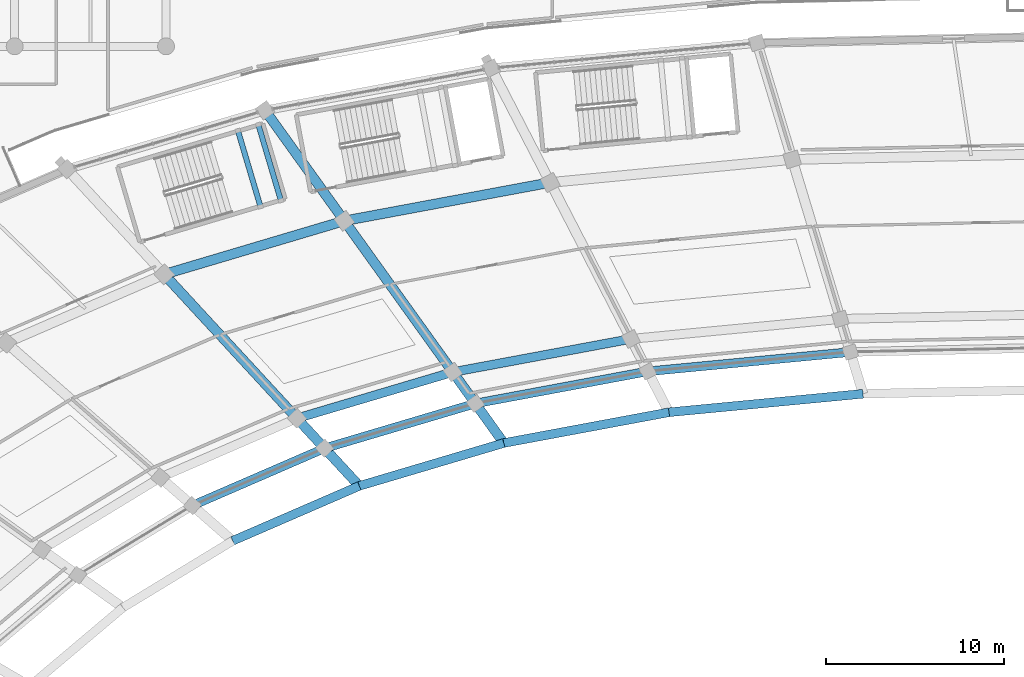
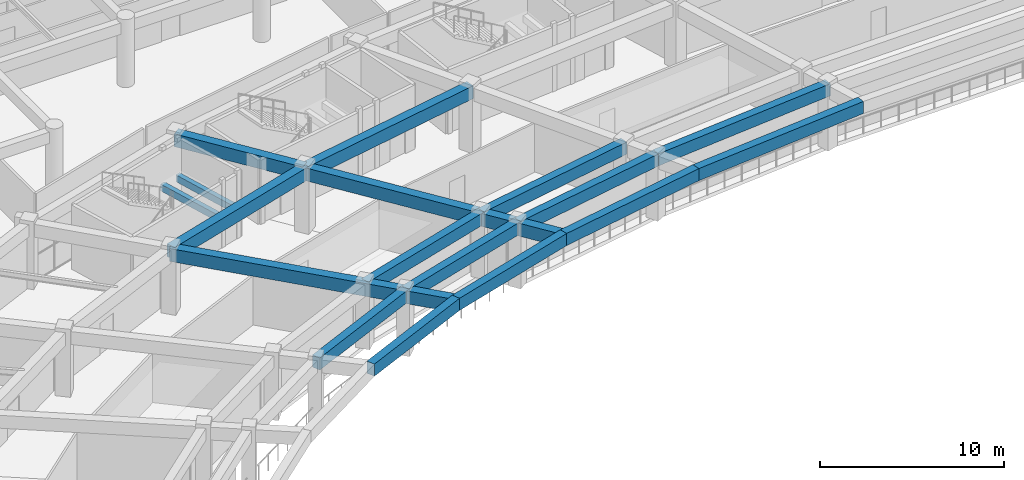
# One storey, part 62 of 145: 17 beams.
"""IFC4 building model written with IfcOpenShell, lengths in metres."""

from ifc_helpers import new_model, si_unit, direction, frame, origin, origin_2d, place, context, subcontext, project, spatial, rectangle, extrude, material, material_profile, profile_set, type_object, element, save


model = new_model("IFC4")

# Units and contexts
model_context = context("Model", 3, precision=1e-05, world=origin(), true_north=direction((0.0, 1.0)))
body_context = subcontext(model_context, "Body", "Model", "MODEL_VIEW")
ifc_project = project(units=[si_unit("LENGTHUNIT", "METRE"), si_unit("AREAUNIT", "SQUARE_METRE"), si_unit("VOLUMEUNIT", "CUBIC_METRE"), si_unit("PLANEANGLEUNIT", "RADIAN"), si_unit("MASSUNIT", "GRAM", prefix="KILO")], contexts=[model_context])

# Site, building, storey
site_placement = place(None, origin())
site = spatial("IfcSite", under=ifc_project, at=site_placement, CompositionType="ELEMENT")
building_placement = place(site_placement, origin())
building = spatial("IfcBuilding", under=site, at=building_placement, Name="Mphavela Belvedere Stadium", CompositionType="ELEMENT")
storey_placement = place(building_placement, frame((0.0, 0.0, 10.199951171875)))
storey = spatial("IfcBuildingStorey", under=building, at=storey_placement, Name="L02", CompositionType="ELEMENT", Elevation=10.199951171875)

# Beams
ifc_material_1 = material(Name="Concrete C40/50", Category="concrete")
ifc_material_profile_1 = material_profile(ifc_material_1, rectangle(XDim=0.300048828125, YDim=0.449951171875, at=origin_2d()), Name="RC 300x450")
ifc_profile_set_1 = profile_set([ifc_material_profile_1], Name="Concrete C40/50")
beam_type_1 = type_object("IfcBeamType", Name="BM-RC300x450", PredefinedType="BEAM", material=ifc_profile_set_1)
beam_1_placement = place(storey_placement, frame((64.94580078125, 150.971923828125, 1.824951171875), z_axis=(-0.284510445837, 0.958672940168, 0.0), x_axis=(-0.958672940168, -0.284510445837, 0.0)))
element("IfcBeam", 1, at=beam_1_placement, inside=storey, type_object=beam_type_1, Name="Core P03 landing trimmer beam L02-1", PredefinedType="BEAM", context=body_context, shape_type="SweptSolid", body=[
    extrude(rectangle(XDim=0.300048828125, YDim=0.449951171875, at=origin_2d()), origin(), (0.0, 0.0, 1.0), 4.469970703125),
])
beam_2_placement = place(storey_placement, frame((66.09619140625, 151.313232421875, 1.824951171875), z_axis=(-0.284495549112, 0.958677361022, 0.0), x_axis=(-0.958677361022, -0.284495549112, 0.0)))
element("IfcBeam", 2, at=beam_2_placement, inside=storey, type_object=beam_type_1, Name="Core P03 landing trimmer beam L02-2", PredefinedType="BEAM", context=body_context, shape_type="SweptSolid", body=[
    extrude(rectangle(XDim=0.300048828125, YDim=0.449951171875, at=origin_2d()), origin(), (0.0, 0.0, 1.0), 4.47021484375),
])
ifc_material_2 = material(Name="Concrete C40/50", Category="concrete")
ifc_material_profile_2 = material_profile(ifc_material_2, rectangle(XDim=0.5, YDim=0.800048828125, at=origin_2d()), Name="RC 500x800")
ifc_profile_set_2 = profile_set([ifc_material_profile_2], Name="Concrete C40/50")
beam_type_2 = type_object("IfcBeamType", Name="BM-RC500x800", PredefinedType="BEAM", material=ifc_profile_set_2)
beam_3_placement = place(storey_placement, frame((98.142822265625, 142.79296875, 3.85009765625), z_axis=(-0.995485216305, -0.094916722014, 0.0), x_axis=(0.094916722014, -0.995485216305, 0.0)))
element("IfcBeam", 3, at=beam_3_placement, inside=storey, type_object=beam_type_2, Name="Circumferential girder L02 R1-14", PredefinedType="BEAM", context=body_context, shape_type="SweptSolid", body=[
    extrude(rectangle(XDim=0.5, YDim=0.800048828125, at=origin_2d()), origin(), (0.0, 0.0, 1.0), 11.453857421875),
])
beam_4_placement = place(storey_placement, frame((86.74072265625, 141.705810546875, 3.85009765625), z_axis=(-0.983092994202, -0.183106976248, 0.0), x_axis=(0.183106976248, -0.983092994202, 0.0)))
element("IfcBeam", 4, at=beam_4_placement, inside=storey, type_object=beam_type_2, Name="Circumferential girder L02 R1-15", PredefinedType="BEAM", context=body_context, shape_type="SweptSolid", body=[
    extrude(rectangle(XDim=0.5, YDim=0.800048828125, at=origin_2d()), origin(), (0.0, 0.0, 1.0), 9.869140625),
])
beam_5_placement = place(storey_placement, frame((85.79638671875, 143.53369140625, 3.85009765625), z_axis=(-0.983098802226, -0.183075790485, 0.0), x_axis=(0.183075790485, -0.983098802226, 0.0)))
element("IfcBeam", 5, at=beam_5_placement, inside=storey, type_object=beam_type_2, Name="Circumferential girder L02 R2-15", PredefinedType="BEAM", context=body_context, shape_type="SweptSolid", body=[
    extrude(rectangle(XDim=0.5, YDim=0.800048828125, at=origin_2d()), origin(), (0.0, 0.0, 1.0), 10.198974609375),
])
beam_6_placement = place(storey_placement, frame((77.038330078125, 139.898681640625, 3.85009765625), z_axis=(-0.958656973737, -0.284564240033, 0.0), x_axis=(0.284564240033, -0.958656973737, 0.0)))
element("IfcBeam", 6, at=beam_6_placement, inside=storey, type_object=beam_type_2, Name="Circumferential girder L02 R1-16", PredefinedType="BEAM", context=body_context, shape_type="SweptSolid", body=[
    extrude(rectangle(XDim=0.5, YDim=0.800048828125, at=origin_2d()), origin(), (0.0, 0.0, 1.0), 8.854736328125),
])
beam_7_placement = place(storey_placement, frame((75.769775390625, 141.66650390625, 3.85009765625), z_axis=(-0.958656419443, -0.284566107363, 0.0), x_axis=(0.284566107363, -0.958656419443, 0.0)))
element("IfcBeam", 7, at=beam_7_placement, inside=storey, type_object=beam_type_2, Name="Circumferential girder L02 R2-16", PredefinedType="BEAM", context=body_context, shape_type="SweptSolid", body=[
    extrude(rectangle(XDim=0.5, YDim=0.800048828125, at=origin_2d()), origin(), (0.0, 0.0, 1.0), 9.15087890625),
])
beam_8_placement = place(storey_placement, frame((68.549560546875, 137.37890625, 3.85009765625), z_axis=(-0.917503251148, -0.397728279273, 0.0), x_axis=(0.397728279273, -0.917503251148, 0.0)))
element("IfcBeam", 8, at=beam_8_placement, inside=storey, type_object=beam_type_2, Name="Circumferential girder L02 R1-17", PredefinedType="BEAM", context=body_context, shape_type="SweptSolid", body=[
    extrude(rectangle(XDim=0.5, YDim=0.800048828125, at=origin_2d()), origin(), (0.0, 0.0, 1.0), 8.107666015625),
])
beam_9_placement = place(storey_placement, frame((98.85205078125, 140.4453125, 3.85009765625), z_axis=(-0.995484465186, -0.094924599412, 0.0), x_axis=(0.094924599412, -0.995484465186, 0.0)))
element("IfcBeam", 9, at=beam_9_placement, inside=storey, type_object=beam_type_2, Name="Upper tier front sightline ring beam 14", PredefinedType="BEAM", context=body_context, shape_type="SweptSolid", body=[
    extrude(rectangle(XDim=0.5, YDim=0.800048828125, at=origin_2d()), origin(), (0.0, 0.0, 1.0), 10.971923828125),
])
beam_10_placement = place(storey_placement, frame((87.9296875, 139.40380859375, 3.85009765625), z_axis=(-0.983094824356, -0.18309714996, 0.0), x_axis=(0.18309714996, -0.983094824356, 0.0)))
element("IfcBeam", 10, at=beam_10_placement, inside=storey, type_object=beam_type_2, Name="Upper tier front sightline ring beam 15", PredefinedType="BEAM", context=body_context, shape_type="SweptSolid", body=[
    extrude(rectangle(XDim=0.5, YDim=0.800048828125, at=origin_2d()), origin(), (0.0, 0.0, 1.0), 9.453857421875),
])
beam_11_placement = place(storey_placement, frame((78.6357421875, 137.6728515625, 3.85009765625), z_axis=(-0.958654841276, -0.284571423896, 0.0), x_axis=(0.284571423896, -0.958654841276, 0.0)))
element("IfcBeam", 11, at=beam_11_placement, inside=storey, type_object=beam_type_2, Name="Upper tier front sightline ring beam 16", PredefinedType="BEAM", context=body_context, shape_type="SweptSolid", body=[
    extrude(rectangle(XDim=0.5, YDim=0.800048828125, at=origin_2d()), origin(), (0.0, 0.0, 1.0), 8.482177734375),
])
beam_12_placement = place(storey_placement, frame((70.504150390625, 135.259033203125, 3.85009765625), z_axis=(-0.917506303716, -0.397721237353, 0.0), x_axis=(0.397721237353, -0.917506303716, 0.0)))
element("IfcBeam", 12, at=beam_12_placement, inside=storey, type_object=beam_type_2, Name="Upper tier front sightline ring beam 17", PredefinedType="BEAM", context=body_context, shape_type="SweptSolid", body=[
    extrude(rectangle(XDim=0.5, YDim=0.800048828125, at=origin_2d()), origin(), (0.0, 0.0, 1.0), 7.766357421875),
])
ifc_material_3 = material(Name="Concrete C40/50", Category="concrete")
ifc_material_profile_3 = material_profile(ifc_material_3, rectangle(XDim=0.550048828125, YDim=0.85009765625, at=origin_2d()), Name="RC 550x850")
ifc_profile_set_3 = profile_set([ifc_material_profile_3], Name="Concrete C40/50")
beam_type_3 = type_object("IfcBeamType", Name="BM-RC550x850", PredefinedType="BEAM", material=ifc_profile_set_3)
beam_13_placement = place(storey_placement, frame((81.249755859375, 152.33544921875, 3.824951171875), z_axis=(-0.983097725009, -0.18308157494, 0.0), x_axis=(0.18308157494, -0.983097725009, 0.0)))
element("IfcBeam", 13, at=beam_13_placement, inside=storey, type_object=beam_type_3, Name="Circumferential girder L02 R3-15", PredefinedType="BEAM", context=body_context, shape_type="SweptSolid", body=[
    extrude(rectangle(XDim=0.550048828125, YDim=0.85009765625, at=origin_2d()), origin(), (0.0, 0.0, 1.0), 11.786865234375),
])
beam_14_placement = place(storey_placement, frame((69.662109375, 150.177490234375, 3.824951171875), z_axis=(-0.958655230784, -0.284570111731, 0.0), x_axis=(0.284570111731, -0.958655230784, 0.0)))
element("IfcBeam", 14, at=beam_14_placement, inside=storey, type_object=beam_type_3, Name="Circumferential girder L02 R3-16", PredefinedType="BEAM", context=body_context, shape_type="SweptSolid", body=[
    extrude(rectangle(XDim=0.550048828125, YDim=0.85009765625, at=origin_2d()), origin(), (0.0, 0.0, 1.0), 10.57568359375),
])
beam_15_placement = place(storey_placement, frame((69.662109375, 150.177490234375, 3.824951171875), z_axis=(-0.583043812448, 0.812440713385, 0.0), x_axis=(-0.812440713385, -0.583043812448, 0.0)))
element("IfcBeam", 15, at=beam_15_placement, inside=storey, type_object=beam_type_3, Name="Radial concourse girder L02 R3R4-16", PredefinedType="BEAM", context=body_context, shape_type="SweptSolid", body=[
    extrude(rectangle(XDim=0.550048828125, YDim=0.85009765625, at=origin_2d()), origin(), (0.0, 0.0, 1.0), 7.6552734375),
])
beam_16_placement = place(storey_placement, frame((78.6357421875, 137.6728515625, 3.824951171875), z_axis=(-0.583032856155, 0.812448575999, 0.0), x_axis=(-0.812448575999, -0.583032856155, 0.0)))
element("IfcBeam", 16, at=beam_16_placement, inside=storey, type_object=beam_type_3, Name="Upper tier box-front outrigger girder 16", PredefinedType="BEAM", context=body_context, shape_type="SweptSolid", body=[
    extrude(rectangle(XDim=0.550048828125, YDim=0.85009765625, at=origin_2d()), origin(), (0.0, 0.0, 1.0), 15.391357421875),
])
beam_17_placement = place(storey_placement, frame((70.504150390625, 135.259033203125, 3.824951171875), z_axis=(-0.6778668467, 0.73518469662, 0.0), x_axis=(-0.73518469662, -0.6778668467, 0.0)))
element("IfcBeam", 17, at=beam_17_placement, inside=storey, type_object=beam_type_3, Name="Upper tier box-front outrigger girder 17", PredefinedType="BEAM", context=body_context, shape_type="SweptSolid", body=[
    extrude(rectangle(XDim=0.550048828125, YDim=0.85009765625, at=origin_2d()), origin(), (0.0, 0.0, 1.0), 16.198486328125),
])

save(model, "model.ifc")
